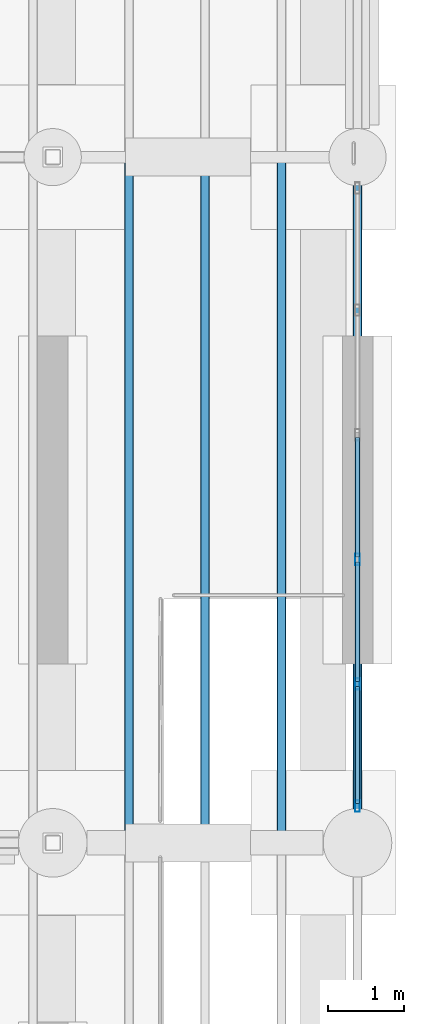
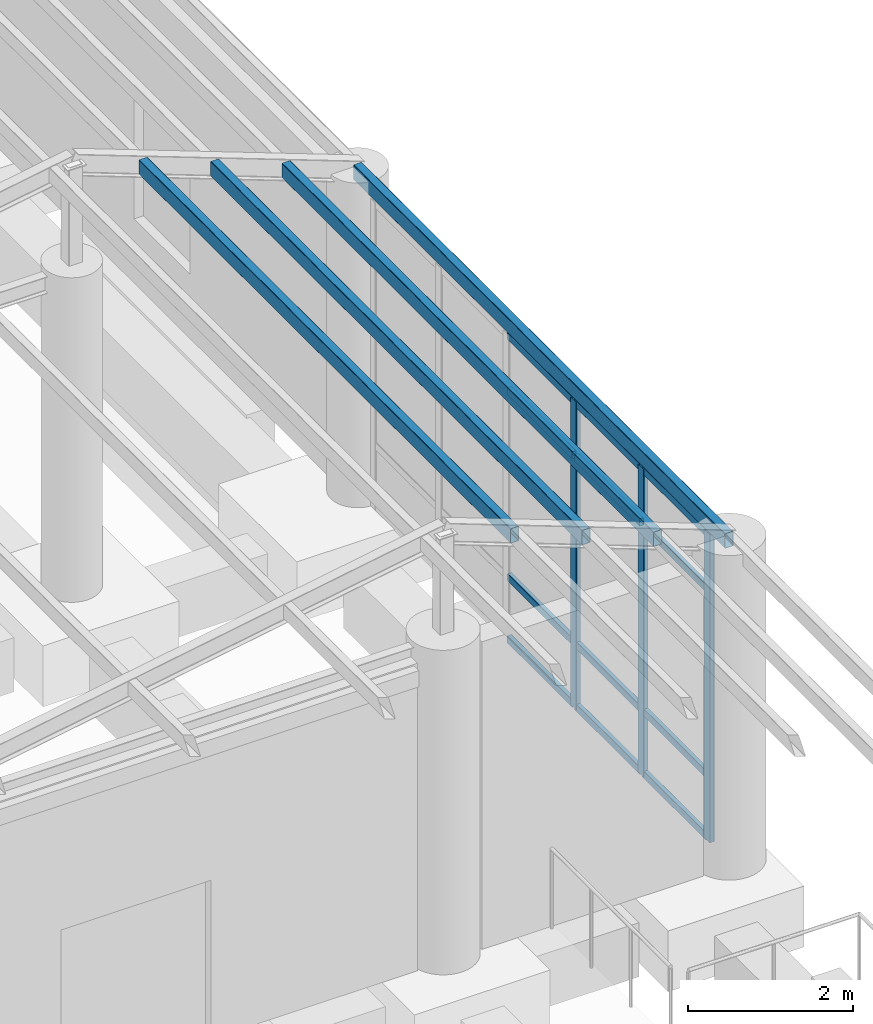
# One storey, part 65 of 111: 19 members, 1 element without a shape of its own.
"""IFC4 building model written with IfcOpenShell, lengths in metres."""

import ifcopenshell
import ifcopenshell.guid

model = None  # the IFC model being written
_history = None  # IfcOwnerHistory: only IFC2X3 demands one
_inside = {}  # id of a spatial element -> (the spatial element, [elements in it])
_under = {}  # id of a project, library or spatial element -> (it, [spatial elements below it])
_declared = {}  # id of a project -> (the project, [libraries it declares])
_typed = {}  # id of a type object -> (the type object, [elements of that type])
_made_of = {}  # id of a material, layer set ... -> (it, [elements and type objects made of it])


def new_model(schema):
    """Start an empty IFC model of exactly this schema.

    Asked for "IFC4X3", IfcOpenShell would pick the latest addendum, in which some entities
    have other attributes; the version numbers below select the first issue.
    IFC2X3 requires an IfcOwnerHistory on every rooted entity: one is made here for all.
    """
    global model, _history
    if schema == "IFC4X3":
        model = ifcopenshell.file(schema_version=(4, 3, 0, 0))
    else:
        model = ifcopenshell.file(schema=schema)
    _inside.clear()
    _under.clear()
    _declared.clear()
    _typed.clear()
    _made_of.clear()
    _history = None
    if model.schema == "IFC2X3":
        org = make("IfcOrganization", Name="unknown")
        user = make(
            "IfcPersonAndOrganization",
            ThePerson=make("IfcPerson", FamilyName="unknown"),
            TheOrganization=org,
        )
        app = make(
            "IfcApplication",
            ApplicationDeveloper=org,
            Version="unknown",
            ApplicationFullName="unknown",
            ApplicationIdentifier="unknown",
        )
        _history = make(
            "IfcOwnerHistory",
            OwningUser=user,
            OwningApplication=app,
            ChangeAction="ADDED",
            CreationDate=0,
        )
    return model


def make(cls, **values):
    """One entity of the class cls with the attributes given. An attribute that is None is left unset."""
    return model.create_entity(
        cls, **{name: value for name, value in values.items() if value is not None}
    )


def rooted(cls, **values):
    """An entity with a GlobalId (a new one), such as an element, a storey or a relation."""
    return make(cls, GlobalId=ifcopenshell.guid.new(), OwnerHistory=_history, **values)


def si_unit(unit_type, name, prefix=None):
    """IfcSIUnit, for example si_unit("LENGTHUNIT", "METRE", prefix="MILLI")."""
    return make("IfcSIUnit", UnitType=unit_type, Prefix=prefix, Name=name)


def assignment(units):
    """IfcUnitAssignment: the units of a project."""
    return None if units is None else make("IfcUnitAssignment", Units=units)


def point(xyz):
    """IfcCartesianPoint."""
    return None if xyz is None else make("IfcCartesianPoint", Coordinates=xyz)


def direction(xyz):
    """IfcDirection."""
    return None if xyz is None else make("IfcDirection", DirectionRatios=xyz)


def frame(location, z_axis=None, x_axis=None):
    """IfcAxis2Placement3D, a coordinate frame: its origin and axes. An axis left out is left unset."""
    return make(
        "IfcAxis2Placement3D",
        Location=point(location),
        Axis=direction(z_axis),
        RefDirection=direction(x_axis),
    )


def frame_2d(location, x_axis=None):
    """IfcAxis2Placement2D, a coordinate frame in the plane: its origin and x axis."""
    return make(
        "IfcAxis2Placement2D", Location=point(location), RefDirection=direction(x_axis)
    )


def origin():
    """The frame at (0, 0, 0) with its axes left unset."""
    return frame((0.0, 0.0, 0.0))


def origin_2d():
    """The frame at (0, 0) in the plane with its x axis left unset."""
    return frame_2d((0.0, 0.0))


def place(relative_to, where):
    """IfcLocalPlacement: puts the frame where relative to a parent placement (None: the world)."""
    return make(
        "IfcLocalPlacement", PlacementRelTo=relative_to, RelativePlacement=where
    )


def context(
    kind, dimensions, precision=None, world=None, true_north=None, identifier=None
):
    """IfcGeometricRepresentationContext, for example the 3D "Model" context."""
    return make(
        "IfcGeometricRepresentationContext",
        ContextIdentifier=identifier,
        ContextType=kind,
        CoordinateSpaceDimension=dimensions,
        Precision=precision,
        WorldCoordinateSystem=world,
        TrueNorth=true_north,
    )


def subcontext(parent, identifier, kind, view, scale=None):
    """IfcGeometricRepresentationSubContext, for example "Body" below "Model"."""
    return make(
        "IfcGeometricRepresentationSubContext",
        ContextIdentifier=identifier,
        ContextType=kind,
        ParentContext=parent,
        TargetScale=scale,
        TargetView=view,
    )


def project(units=None, contexts=None):
    """IfcProject with its units and contexts."""
    return rooted(
        "IfcProject",
        Name="project",
        RepresentationContexts=contexts,
        UnitsInContext=assignment(units),
    )


def spatial(cls, under=None, at=None, **own):
    """A site, building, storey or space (cls), placed at a placement, below another one or the project."""
    s = rooted(cls, ObjectPlacement=at, **own)
    if under is not None:
        _under.setdefault(under.id(), (under, []))[1].append(s)
    return s


def profile(cls, at=None, kind="AREA", **sizes):
    """A parametric profile (cls). Its sizes go by their IFC names, for example OverallWidth=200.0."""
    return make(cls, ProfileType=kind, Position=at, **sizes)


def hollow_rectangle(**sizes):
    """IfcRectangleHollowProfileDef."""
    return profile("IfcRectangleHollowProfileDef", **sizes)


def extrude(swept, where, along, depth):
    """IfcExtrudedAreaSolid: the profile swept, set in the frame where, extruded along a direction by depth."""
    return make(
        "IfcExtrudedAreaSolid",
        SweptArea=swept,
        Position=where,
        ExtrudedDirection=direction(along),
        Depth=depth,
    )


def shape(context_of_items, identifier, shape_type, items):
    """IfcShapeRepresentation: the items that make up one representation, for example the "Body"."""
    return make(
        "IfcShapeRepresentation",
        ContextOfItems=context_of_items,
        RepresentationIdentifier=identifier,
        RepresentationType=shape_type,
        Items=items,
    )


def material(Name=None, Category=None):
    """IfcMaterial."""
    return make("IfcMaterial", Name=Name, Category=Category)


def material_profile(
    of_material, cross_section, Name=None, Category=None, Priority=None
):
    """IfcMaterialProfile: a cross section and its material."""
    return make(
        "IfcMaterialProfile",
        Name=Name,
        Material=of_material,
        Profile=cross_section,
        Priority=Priority,
        Category=Category,
    )


def profile_set(profiles, Name=None, composite=None):
    """IfcMaterialProfileSet."""
    return make(
        "IfcMaterialProfileSet",
        Name=Name,
        MaterialProfiles=profiles,
        CompositeProfile=composite,
    )


def made_of(thing, what):
    """Note that an element or type object is made of a material, layer set ...; save() writes the relation."""
    if what is not None:
        _made_of.setdefault(what.id(), (what, []))[1].append(thing)
    return thing


def type_object(cls, material=None, **own):
    """A type object (cls), such as IfcWallType, which elements share."""
    return made_of(rooted(cls, **own), material)


def element(
    cls,
    number,
    at=None,
    inside=None,
    cuts=None,
    type_object=None,
    material=None,
    context=None,
    identifier="Body",
    shape_type=None,
    held_by="IfcProductDefinitionShape",
    body=None,
    shapes=None,
    **own,
):
    """One element of the class cls, such as IfcWall. Its Tag is "e" and its number.

    at: its placement. inside: the storey or other place that contains it. cuts: it is an
    opening in that element (IfcRelVoidsElement). A single representation is given by context,
    identifier, shape_type and body (its items); several are given by shapes. held_by: the class
    of the entity that holds the representations. save() writes the other relations.
    """
    e = rooted(cls, Tag="e%d" % number, ObjectPlacement=at, **own)
    if body is not None:
        shapes = [shape(context, identifier, shape_type, body)]
    if shapes is not None:
        e.Representation = make(held_by, Representations=shapes)
    if inside is not None:
        _inside.setdefault(inside.id(), (inside, []))[1].append(e)
    if cuts is not None:
        rooted(
            "IfcRelVoidsElement", RelatingBuildingElement=cuts, RelatedOpeningElement=e
        )
    if type_object is not None:
        _typed.setdefault(type_object.id(), (type_object, []))[1].append(e)
    return made_of(e, material)


def aggregate(whole, parts):
    """IfcRelAggregates: a whole, such as a stair, and the parts it consists of."""
    return rooted("IfcRelAggregates", RelatingObject=whole, RelatedObjects=parts)


def save(model, path):
    """Write the relations noted so far, then the file.

    IfcRelAggregates (storeys below a building ...), IfcRelContainedInSpatialStructure (elements
    in a storey), IfcRelDefinesByType, IfcRelAssociatesMaterial and IfcRelDeclares: one each for
    every whole, place, type object, material and project.
    """
    for whole, parts in _under.values():
        aggregate(whole, parts)
    for where, things in _inside.values():
        rooted(
            "IfcRelContainedInSpatialStructure",
            RelatedElements=things,
            RelatingStructure=where,
        )
    for kind, things in _typed.values():
        rooted("IfcRelDefinesByType", RelatedObjects=things, RelatingType=kind)
    for what, things in _made_of.values():
        rooted("IfcRelAssociatesMaterial", RelatedObjects=things, RelatingMaterial=what)
    for by, libraries in _declared.values():
        rooted("IfcRelDeclares", RelatingContext=by, RelatedDefinitions=libraries)
    model.write(path)


model = new_model("IFC4")

# Units and contexts
model_context = context("Model", 3, precision=1e-05, world=origin(), true_north=direction((0.0, 1.0)))
body_context = subcontext(model_context, "Body", "Model", "MODEL_VIEW")
ifc_project = project(units=[si_unit("LENGTHUNIT", "METRE"), si_unit("AREAUNIT", "SQUARE_METRE"), si_unit("VOLUMEUNIT", "CUBIC_METRE"), si_unit("PLANEANGLEUNIT", "RADIAN"), si_unit("MASSUNIT", "GRAM", prefix="KILO")], contexts=[model_context])

# Site, building, storey
site_placement = place(None, origin())
site = spatial("IfcSite", under=ifc_project, at=site_placement, CompositionType="ELEMENT")
building_placement = place(site_placement, origin())
building = spatial("IfcBuilding", under=site, at=building_placement, Name="Canglan Escarpment Cableway Terminal", CompositionType="ELEMENT")
storey_placement = place(building_placement, frame((0.0, 0.0, 4.800048828125)))
storey = spatial("IfcBuildingStorey", under=building, at=storey_placement, Name="L01", CompositionType="ELEMENT", Elevation=4.800048828125)

# Curtain wall, members
ifc_material_1 = material(Name="Anodized bronze aluminium and Low-E double glazing", Category="aluminium")
curtain_wall_type = type_object("IfcCurtainWallType", Name="CW-BAY-8175x4550", PredefinedType="NOTDEFINED", material=ifc_material_1)
curtain_wall_placement = place(storey_placement, origin())
curtain_wall = element("IfcCurtainWall", 1, at=curtain_wall_placement, inside=storey, type_object=curtain_wall_type, Name="Classical bay-between-piers glazed curtain wall CW-41", PredefinedType="NOTDEFINED")
ifc_material_2 = material(Name="Thermally broken anodized aluminium 6063-T6", Category="aluminium")
ifc_material_profile_1 = material_profile(ifc_material_2, hollow_rectangle(XDim=0.06494140625, YDim=0.14990234375, WallThickness=0.00341796875, InnerFilletRadius=0.00341796875, OuterFilletRadius=0.007080078125, at=origin_2d()), Name="ALU-MULL 65x150x3.5")
ifc_profile_set_1 = profile_set([ifc_material_profile_1], Name="Thermally broken anodized aluminium 6063-T6")
member_type_1 = type_object("IfcMemberType", Name="CWM-02", PredefinedType="MULLION", material=ifc_profile_set_1)
member_1_placement = place(storey_placement, frame((180.0, 97.482421875, 0.0), z_axis=(0.0, 0.0, 1.0), x_axis=(-1.0, 0.0, 0.0)))
member_1 = element("IfcMember", 2, at=member_1_placement, type_object=member_type_1, Name="CW-41 mullion 1", PredefinedType="MULLION", context=body_context, shape_type="SweptSolid", body=[
    extrude(hollow_rectangle(XDim=0.06494140625, YDim=0.14990234375, WallThickness=0.00341796875, InnerFilletRadius=0.00341796875, OuterFilletRadius=0.007080078125, at=origin_2d()), origin(), (0.0, 0.0, 1.0), 4.550048828125),
])
member_2_placement = place(storey_placement, frame((180.0, 99.0849609375, 0.0), z_axis=(0.0, 0.0, 1.0), x_axis=(-1.0, 0.0, 0.0)))
member_2 = element("IfcMember", 3, at=member_2_placement, type_object=member_type_1, Name="CW-41 mullion 2", PredefinedType="MULLION", context=body_context, shape_type="SweptSolid", body=[
    extrude(hollow_rectangle(XDim=0.06494140625, YDim=0.14990234375, WallThickness=0.00341796875, InnerFilletRadius=0.00341796875, OuterFilletRadius=0.007080078125, at=origin_2d()), origin(), (0.0, 0.0, 1.0), 4.550048828125),
])
member_3_placement = place(storey_placement, frame((180.0, 100.719970703125, 0.0), z_axis=(0.0, 0.0, 1.0), x_axis=(-1.0, 0.0, 0.0)))
member_3 = element("IfcMember", 4, at=member_3_placement, type_object=member_type_1, Name="CW-41 mullion 3", PredefinedType="MULLION", context=body_context, shape_type="SweptSolid", body=[
    extrude(hollow_rectangle(XDim=0.06494140625, YDim=0.14990234375, WallThickness=0.00341796875, InnerFilletRadius=0.00341796875, OuterFilletRadius=0.007080078125, at=origin_2d()), origin(), (0.0, 0.0, 1.0), 4.550048828125),
])
ifc_material_profile_2 = material_profile(ifc_material_2, hollow_rectangle(XDim=0.06005859375, YDim=0.110107421875, WallThickness=0.0029296875, InnerFilletRadius=0.0029296875, OuterFilletRadius=0.006103515625, at=origin_2d()), Name="ALU-TRAN 60x110x3")
ifc_profile_set_2 = profile_set([ifc_material_profile_2], Name="Thermally broken anodized aluminium 6063-T6")
member_type_2 = type_object("IfcMemberType", Name="CWT-02", PredefinedType="USERDEFINED", material=ifc_profile_set_2)
member_4_placement = place(storey_placement, frame((180.0, 97.514892578125, 0.030029296875), z_axis=(0.0, 1.0, 0.0), x_axis=(-1.0, 0.0, 0.0)))
member_4 = element("IfcMember", 5, at=member_4_placement, type_object=member_type_2, Name="CW-41 transom 1.1", ObjectType="TRANSOM", PredefinedType="USERDEFINED", context=body_context, shape_type="SweptSolid", body=[
    extrude(hollow_rectangle(XDim=0.06005859375, YDim=0.110107421875, WallThickness=0.0029296875, InnerFilletRadius=0.0029296875, OuterFilletRadius=0.006103515625, at=origin_2d()), origin(), (0.0, 0.0, 1.0), 1.53759765625),
])
member_5_placement = place(storey_placement, frame((180.0, 97.514892578125, 0.949951171875), z_axis=(0.0, 1.0, 0.0), x_axis=(-1.0, 0.0, 0.0)))
member_5 = element("IfcMember", 6, at=member_5_placement, type_object=member_type_2, Name="CW-41 transom 1.2", ObjectType="TRANSOM", PredefinedType="USERDEFINED", context=body_context, shape_type="SweptSolid", body=[
    extrude(hollow_rectangle(XDim=0.06005859375, YDim=0.110107421875, WallThickness=0.0029296875, InnerFilletRadius=0.0029296875, OuterFilletRadius=0.006103515625, at=origin_2d()), origin(), (0.0, 0.0, 1.0), 1.53759765625),
])
member_6_placement = place(storey_placement, frame((180.0, 97.514892578125, 3.699951171875), z_axis=(0.0, 1.0, 0.0), x_axis=(-1.0, 0.0, 0.0)))
member_6 = element("IfcMember", 7, at=member_6_placement, type_object=member_type_2, Name="CW-41 transom 1.3", ObjectType="TRANSOM", PredefinedType="USERDEFINED", context=body_context, shape_type="SweptSolid", body=[
    extrude(hollow_rectangle(XDim=0.06005859375, YDim=0.110107421875, WallThickness=0.0029296875, InnerFilletRadius=0.0029296875, OuterFilletRadius=0.006103515625, at=origin_2d()), origin(), (0.0, 0.0, 1.0), 1.53759765625),
])
member_7_placement = place(storey_placement, frame((180.0, 97.514892578125, 4.52001953125), z_axis=(0.0, 1.0, 0.0), x_axis=(-1.0, 0.0, 0.0)))
member_7 = element("IfcMember", 8, at=member_7_placement, type_object=member_type_2, Name="CW-41 transom 1.4", ObjectType="TRANSOM", PredefinedType="USERDEFINED", context=body_context, shape_type="SweptSolid", body=[
    extrude(hollow_rectangle(XDim=0.06005859375, YDim=0.110107421875, WallThickness=0.0029296875, InnerFilletRadius=0.0029296875, OuterFilletRadius=0.006103515625, at=origin_2d()), origin(), (0.0, 0.0, 1.0), 1.53759765625),
])
member_8_placement = place(storey_placement, frame((180.0, 99.117431640625, 0.030029296875), z_axis=(0.0, 1.0, 0.0), x_axis=(-1.0, 0.0, 0.0)))
member_8 = element("IfcMember", 9, at=member_8_placement, type_object=member_type_2, Name="CW-41 transom 2.1", ObjectType="TRANSOM", PredefinedType="USERDEFINED", context=body_context, shape_type="SweptSolid", body=[
    extrude(hollow_rectangle(XDim=0.06005859375, YDim=0.110107421875, WallThickness=0.0029296875, InnerFilletRadius=0.0029296875, OuterFilletRadius=0.006103515625, at=origin_2d()), origin(), (0.0, 0.0, 1.0), 1.570068359375),
])
member_9_placement = place(storey_placement, frame((180.0, 99.117431640625, 0.949951171875), z_axis=(0.0, 1.0, 0.0), x_axis=(-1.0, 0.0, 0.0)))
member_9 = element("IfcMember", 10, at=member_9_placement, type_object=member_type_2, Name="CW-41 transom 2.2", ObjectType="TRANSOM", PredefinedType="USERDEFINED", context=body_context, shape_type="SweptSolid", body=[
    extrude(hollow_rectangle(XDim=0.06005859375, YDim=0.110107421875, WallThickness=0.0029296875, InnerFilletRadius=0.0029296875, OuterFilletRadius=0.006103515625, at=origin_2d()), origin(), (0.0, 0.0, 1.0), 1.570068359375),
])
member_10_placement = place(storey_placement, frame((180.0, 99.117431640625, 3.699951171875), z_axis=(0.0, 1.0, 0.0), x_axis=(-1.0, 0.0, 0.0)))
member_10 = element("IfcMember", 11, at=member_10_placement, type_object=member_type_2, Name="CW-41 transom 2.3", ObjectType="TRANSOM", PredefinedType="USERDEFINED", context=body_context, shape_type="SweptSolid", body=[
    extrude(hollow_rectangle(XDim=0.06005859375, YDim=0.110107421875, WallThickness=0.0029296875, InnerFilletRadius=0.0029296875, OuterFilletRadius=0.006103515625, at=origin_2d()), origin(), (0.0, 0.0, 1.0), 1.570068359375),
])
member_11_placement = place(storey_placement, frame((180.0, 99.117431640625, 4.52001953125), z_axis=(0.0, 1.0, 0.0), x_axis=(-1.0, 0.0, 0.0)))
member_11 = element("IfcMember", 12, at=member_11_placement, type_object=member_type_2, Name="CW-41 transom 2.4", ObjectType="TRANSOM", PredefinedType="USERDEFINED", context=body_context, shape_type="SweptSolid", body=[
    extrude(hollow_rectangle(XDim=0.06005859375, YDim=0.110107421875, WallThickness=0.0029296875, InnerFilletRadius=0.0029296875, OuterFilletRadius=0.006103515625, at=origin_2d()), origin(), (0.0, 0.0, 1.0), 1.570068359375),
])
member_12_placement = place(storey_placement, frame((180.0, 100.75244140625, 0.030029296875), z_axis=(0.0, 1.0, 0.0), x_axis=(-1.0, 0.0, 0.0)))
member_12 = element("IfcMember", 13, at=member_12_placement, type_object=member_type_2, Name="CW-41 transom 3.1", ObjectType="TRANSOM", PredefinedType="USERDEFINED", context=body_context, shape_type="SweptSolid", body=[
    extrude(hollow_rectangle(XDim=0.06005859375, YDim=0.110107421875, WallThickness=0.0029296875, InnerFilletRadius=0.0029296875, OuterFilletRadius=0.006103515625, at=origin_2d()), origin(), (0.0, 0.0, 1.0), 1.570068359375),
])
member_13_placement = place(storey_placement, frame((180.0, 100.75244140625, 0.949951171875), z_axis=(0.0, 1.0, 0.0), x_axis=(-1.0, 0.0, 0.0)))
member_13 = element("IfcMember", 14, at=member_13_placement, type_object=member_type_2, Name="CW-41 transom 3.2", ObjectType="TRANSOM", PredefinedType="USERDEFINED", context=body_context, shape_type="SweptSolid", body=[
    extrude(hollow_rectangle(XDim=0.06005859375, YDim=0.110107421875, WallThickness=0.0029296875, InnerFilletRadius=0.0029296875, OuterFilletRadius=0.006103515625, at=origin_2d()), origin(), (0.0, 0.0, 1.0), 1.570068359375),
])
member_14_placement = place(storey_placement, frame((180.0, 100.75244140625, 3.699951171875), z_axis=(0.0, 1.0, 0.0), x_axis=(-1.0, 0.0, 0.0)))
member_14 = element("IfcMember", 15, at=member_14_placement, type_object=member_type_2, Name="CW-41 transom 3.3", ObjectType="TRANSOM", PredefinedType="USERDEFINED", context=body_context, shape_type="SweptSolid", body=[
    extrude(hollow_rectangle(XDim=0.06005859375, YDim=0.110107421875, WallThickness=0.0029296875, InnerFilletRadius=0.0029296875, OuterFilletRadius=0.006103515625, at=origin_2d()), origin(), (0.0, 0.0, 1.0), 1.570068359375),
])
member_15_placement = place(storey_placement, frame((180.0, 100.75244140625, 4.52001953125), z_axis=(0.0, 1.0, 0.0), x_axis=(-1.0, 0.0, 0.0)))
member_15 = element("IfcMember", 16, at=member_15_placement, type_object=member_type_2, Name="CW-41 transom 3.4", ObjectType="TRANSOM", PredefinedType="USERDEFINED", context=body_context, shape_type="SweptSolid", body=[
    extrude(hollow_rectangle(XDim=0.06005859375, YDim=0.110107421875, WallThickness=0.0029296875, InnerFilletRadius=0.0029296875, OuterFilletRadius=0.006103515625, at=origin_2d()), origin(), (0.0, 0.0, 1.0), 1.570068359375),
])
aggregate(curtain_wall, [member_1, member_2, member_3, member_4, member_5, member_6, member_7, member_8, member_9, member_10, member_11, member_12, member_13, member_14, member_15])

# Members
ifc_material_3 = material(Name="Steel Q355B", Category="steel")
ifc_material_profile_3 = material_profile(ifc_material_3, hollow_rectangle(XDim=0.1201171875, YDim=0.219970703125, WallThickness=0.006103515625, InnerFilletRadius=0.006103515625, OuterFilletRadius=0.011962890625, at=origin_2d()), Name="RHS 220x120x6")
ifc_profile_set_3 = profile_set([ifc_material_profile_3], Name="Steel Q355B")
member_type_3 = type_object("IfcMemberType", Name="MB-PAV-PUR-RHS220", PredefinedType="PURLIN", material=ifc_profile_set_3)
for number, where, z_axis, x_axis, name in (
    (17, (177.0, 97.0, 5.844970703125), (0.0, 1.0, 0.0), (-1.0, 0.0, 0.0), "Colonnade canopy purlin PR-03"),
    (18, (178.0, 97.0, 5.469970703125), (0.0, 1.0, 0.0), (-1.0, 0.0, 0.0), "Colonnade canopy purlin PR-03"),
    (19, (179.0, 97.0, 5.094970703125), (0.0, 1.0, 0.0), (-1.0, 0.0, 0.0), "Colonnade canopy purlin PR-03"),
    (20, (180.0, 97.0, 4.719970703125), (0.0, 1.0, 0.0), (-1.0, 0.0, 0.0), "Colonnade canopy purlin PR-03"),
):
    element("IfcMember", number, at=place(storey_placement, frame(where, z_axis=z_axis, x_axis=x_axis)), inside=storey, type_object=member_type_3, Name=name, PredefinedType="PURLIN", context=body_context, shape_type="SweptSolid", body=[
        extrude(hollow_rectangle(XDim=0.1201171875, YDim=0.219970703125, WallThickness=0.006103515625, InnerFilletRadius=0.006103515625, OuterFilletRadius=0.011962890625, at=origin_2d()), origin(), (0.0, 0.0, 1.0), 9.0),
    ])

save(model, "model.ifc")
